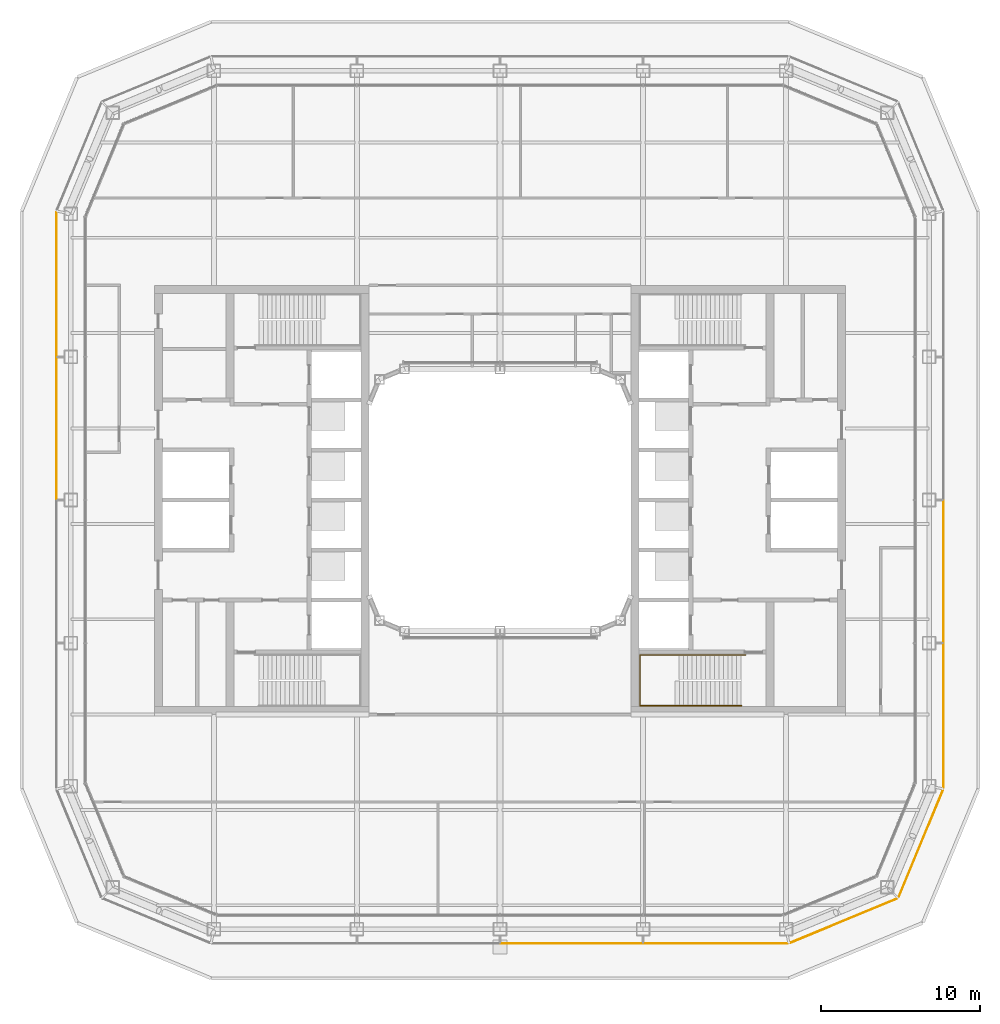
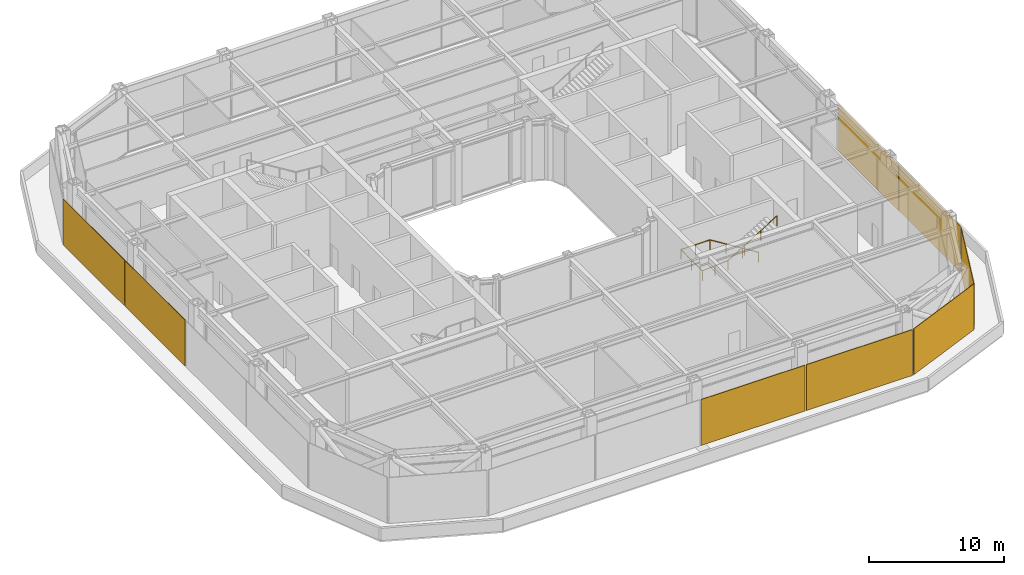
# One storey, part 16 of 19: 8 coverings, 1 railing.
"""IFC4 building model written with IfcOpenShell, lengths in metres."""

from ifc_helpers import new_model, si_unit, direction, frame, origin, origin_2d, place, context, subcontext, project, spatial, rectangle, circle, extrude, material, layer, layer_set, type_object, element, save


model = new_model("IFC4")

# Units and contexts
model_context = context("Model", 3, precision=1e-05, world=origin(), true_north=direction((0.0, 1.0)))
body_context = subcontext(model_context, "Body", "Model", "MODEL_VIEW")
ifc_project = project(units=[si_unit("LENGTHUNIT", "METRE"), si_unit("AREAUNIT", "SQUARE_METRE"), si_unit("VOLUMEUNIT", "CUBIC_METRE"), si_unit("PLANEANGLEUNIT", "RADIAN"), si_unit("MASSUNIT", "GRAM", prefix="KILO")], contexts=[model_context])

# Site, building, storey
site_placement = place(None, origin())
site = spatial("IfcSite", under=ifc_project, at=site_placement, CompositionType="ELEMENT")
building_placement = place(site_placement, origin())
building = spatial("IfcBuilding", under=site, at=building_placement, Name="Siwar Civic Tower", CompositionType="ELEMENT")
storey_placement = place(building_placement, frame((0.0, 0.0, 187.199951171875)))
storey = spatial("IfcBuildingStorey", under=building, at=storey_placement, Name="L40", CompositionType="ELEMENT", Elevation=187.199951171875)

# Railing
ifc_material_1 = material(Name="Stainless steel", Category="steel")
railing_type = type_object("IfcRailingType", Name="CORE-STAIR-HANDRAIL", PredefinedType="HANDRAIL", material=ifc_material_1)
railing_placement = place(storey_placement, frame((15.449951171875, -9.758056640625, 0.171875)))
element("IfcRailing", 1, at=railing_placement, inside=storey, type_object=railing_type, Name="Stair handrail ST4", PredefinedType="HANDRAIL", context=body_context, shape_type="SweptSolid", body=[
    extrude(circle(Radius=0.02001953125, at=origin_2d()), frame((0.0, 0.0, 0.8798828125), z_axis=(-0.849426996612, 0.0, 0.527706146854), x_axis=(0.0, -1.0, 0.0)), (0.0, 0.0, 1.0), 4.885498046875),
    extrude(circle(Radius=0.02001953125, at=origin_2d()), frame((-4.14990234375, 0.0, 3.4580078125), z_axis=(-1.0, 0.0, 0.0), x_axis=(0.0, -1.0, 0.0)), (0.0, 0.0, 1.0), 2.491943359375),
    extrude(circle(Radius=0.02001953125, at=origin_2d()), frame((-6.641845703125, 0.0, 3.4580078125), z_axis=(0.0, -1.0, 0.0), x_axis=(1.0, 0.0, 0.0)), (0.0, 0.0, 1.0), 3.183837890625),
    extrude(circle(Radius=0.02001953125, at=origin_2d()), frame((-6.641845703125, -3.183837890625, 3.4580078125), z_axis=(0.996939735461, 0.0, 0.078173933367), x_axis=(0.0, 1.0, 0.0)), (0.0, 0.0, 1.0), 2.19873046875),
    extrude(circle(Radius=0.02001953125, at=origin_2d()), frame((-4.449951171875, -3.183837890625, 3.6298828125), z_axis=(0.852242915053, 0.0, 0.523146264196), x_axis=(0.0, 1.0, 0.0)), (0.0, 0.0, 1.0), 4.92822265625),
    extrude(circle(Radius=0.02001953125, at=origin_2d()), origin(), (0.0, 0.0, 1.0), 0.85986328125),
    extrude(circle(Radius=0.02001953125, at=origin_2d()), frame((-1.38330078125, 0.0, 0.859375)), (0.0, 0.0, 1.0), 0.85986328125),
    extrude(circle(Radius=0.02001953125, at=origin_2d()), frame((-2.7666015625, 0.0, 1.71875)), (0.0, 0.0, 1.0), 0.85986328125),
    extrude(circle(Radius=0.02001953125, at=origin_2d()), frame((-4.14990234375, 0.0, 2.578125)), (0.0, 0.0, 1.0), 0.85986328125),
    extrude(circle(Radius=0.02001953125, at=origin_2d()), frame((-5.39599609375, 0.0, 2.578125)), (0.0, 0.0, 1.0), 0.85986328125),
    extrude(circle(Radius=0.02001953125, at=origin_2d()), frame((-6.641845703125, 0.0, 2.578125)), (0.0, 0.0, 1.0), 0.85986328125),
    extrude(circle(Radius=0.02001953125, at=origin_2d()), frame((-6.641845703125, -1.591796875, 2.578125)), (0.0, 0.0, 1.0), 0.85986328125),
    extrude(circle(Radius=0.02001953125, at=origin_2d()), frame((-6.641845703125, -3.183837890625, 2.578125)), (0.0, 0.0, 1.0), 0.85986328125),
    extrude(circle(Radius=0.02001953125, at=origin_2d()), frame((-5.5458984375, -3.183837890625, 2.6640625)), (0.0, 0.0, 1.0), 0.85986328125),
    extrude(circle(Radius=0.02001953125, at=origin_2d()), frame((-4.449951171875, -3.183837890625, 2.75)), (0.0, 0.0, 1.0), 0.85986328125),
    extrude(circle(Radius=0.02001953125, at=origin_2d()), frame((-3.050048828125, -3.183837890625, 3.609375)), (0.0, 0.0, 1.0), 0.85986328125),
    extrude(circle(Radius=0.02001953125, at=origin_2d()), frame((-1.64990234375, -3.183837890625, 4.46875)), (0.0, 0.0, 1.0), 0.85986328125),
    extrude(circle(Radius=0.02001953125, at=origin_2d()), frame((-0.25, -3.183837890625, 5.328125)), (0.0, 0.0, 1.0), 0.85986328125),
])

# Coverings
ifc_material_2 = material(Name="Perforated aluminium cassette, pale metal", Category="aluminium")
ifc_layer_1 = layer(ifc_material_2, 0.0400390625)
ifc_layer_set_1 = layer_set([ifc_layer_1], Name="Perforated aluminium cassette, pale metal")
covering_type_1 = type_object("IfcCoveringType", Name="ENV-OUTER SKIN OS-1", PredefinedType="CLADDING", material=ifc_layer_set_1)
covering_1_placement = place(storey_placement, frame((27.89990234375, -13.57958984375, 0.0), z_axis=(0.0, 0.0, 1.0), x_axis=(0.0, 1.0, 0.0)))
element("IfcCovering", 2, at=covering_1_placement, inside=storey, type_object=covering_type_1, Name="OUTER SKIN OS-1 E 1", PredefinedType="CLADDING", context=body_context, shape_type="SweptSolid", body=[
    extrude(rectangle(XDim=9.05908203125, YDim=0.0400390625, at=origin_2d()), origin(), (0.0, 0.0, 1.0), 4.14990234375),
])
covering_2_placement = place(storey_placement, frame((27.89990234375, -4.5, 0.0), z_axis=(0.0, 0.0, 1.0), x_axis=(0.0, 1.0, 0.0)))
element("IfcCovering", 3, at=covering_2_placement, inside=storey, type_object=covering_type_1, Name="OUTER SKIN OS-1 E 2", PredefinedType="CLADDING", context=body_context, shape_type="SweptSolid", body=[
    extrude(rectangle(XDim=8.89990234375, YDim=0.0400390625, at=origin_2d()), origin(), (0.0, 0.0, 1.0), 4.14990234375),
])
ifc_material_3 = material(Name="Perforated aluminium cassette, pale metal", Category="aluminium")
ifc_layer_2 = layer(ifc_material_3, 0.044921875)
ifc_layer_set_2 = layer_set([ifc_layer_2], Name="Perforated aluminium cassette, pale metal")
covering_type_2 = type_object("IfcCoveringType", Name="ENV-OUTER SKIN OS-2", PredefinedType="CLADDING", material=ifc_layer_set_2)
covering_3_placement = place(storey_placement, frame((26.476318359375, -21.615966796875, 0.0), z_axis=(0.0, 0.0, 1.0), x_axis=(0.382683432365, 0.923879532511, 0.0)))
element("IfcCovering", 4, at=covering_3_placement, inside=storey, type_object=covering_type_2, Name="OUTER SKIN OS-2 SE2 1", PredefinedType="CLADDING", context=body_context, shape_type="SweptSolid", body=[
    extrude(rectangle(XDim=7.300048828125, YDim=0.044921875, at=origin_2d()), origin(), (0.0, 0.0, 1.0), 4.14990234375),
])
ifc_material_4 = material(Name="Perforated aluminium cassette, pale metal", Category="aluminium")
ifc_layer_3 = layer(ifc_material_4, 0.050048828125)
ifc_layer_set_3 = layer_set([ifc_layer_3], Name="Perforated aluminium cassette, pale metal")
covering_type_3 = type_object("IfcCoveringType", Name="ENV-OUTER SKIN OS-3", PredefinedType="CLADDING", material=ifc_layer_set_3)
covering_4_placement = place(storey_placement, frame((21.615966796875, -26.476318359375, 0.0), z_axis=(0.0, 0.0, 1.0), x_axis=(0.923879532511, 0.382683432365, 0.0)))
element("IfcCovering", 5, at=covering_4_placement, inside=storey, type_object=covering_type_3, Name="OUTER SKIN OS-3 SE1 1", PredefinedType="CLADDING", context=body_context, shape_type="SweptSolid", body=[
    extrude(rectangle(XDim=7.300048828125, YDim=0.050048828125, at=origin_2d()), origin(), (0.0, 0.0, 1.0), 4.14990234375),
])
covering_5_placement = place(storey_placement, frame((-27.89990234375, 13.57958984375, 0.0), z_axis=(0.0, 0.0, 1.0), x_axis=(0.0, -1.0, 0.0)))
element("IfcCovering", 6, at=covering_5_placement, inside=storey, type_object=covering_type_3, Name="OUTER SKIN OS-3 W 1", PredefinedType="CLADDING", context=body_context, shape_type="SweptSolid", body=[
    extrude(rectangle(XDim=9.05908203125, YDim=0.050048828125, at=origin_2d()), origin(), (0.0, 0.0, 1.0), 4.14990234375),
])
covering_6_placement = place(storey_placement, frame((-27.89990234375, 4.5, 0.0), z_axis=(0.0, 0.0, 1.0), x_axis=(0.0, -1.0, 0.0)))
element("IfcCovering", 7, at=covering_6_placement, inside=storey, type_object=covering_type_3, Name="OUTER SKIN OS-3 W 2", PredefinedType="CLADDING", context=body_context, shape_type="SweptSolid", body=[
    extrude(rectangle(XDim=8.89990234375, YDim=0.050048828125, at=origin_2d()), origin(), (0.0, 0.0, 1.0), 4.14990234375),
])
ifc_material_5 = material(Name="Perforated aluminium cassette, pale metal", Category="aluminium")
ifc_layer_4 = layer(ifc_material_5, 0.054931640625)
ifc_layer_set_4 = layer_set([ifc_layer_4], Name="Perforated aluminium cassette, pale metal")
covering_type_4 = type_object("IfcCoveringType", Name="ENV-OUTER SKIN OS-4", PredefinedType="CLADDING", material=ifc_layer_set_4)
covering_7_placement = place(storey_placement, frame((4.5, -27.89990234375, 0.0), z_axis=(0.0, 0.0, 1.0), x_axis=(1.0, 0.0, 0.0)))
element("IfcCovering", 8, at=covering_7_placement, inside=storey, type_object=covering_type_4, Name="OUTER SKIN OS-4 S 3", PredefinedType="CLADDING", context=body_context, shape_type="SweptSolid", body=[
    extrude(rectangle(XDim=8.89990234375, YDim=0.054931640625, at=origin_2d()), origin(), (0.0, 0.0, 1.0), 4.14990234375),
])
covering_8_placement = place(storey_placement, frame((13.57958984375, -27.89990234375, 0.0), z_axis=(0.0, 0.0, 1.0), x_axis=(1.0, 0.0, 0.0)))
element("IfcCovering", 9, at=covering_8_placement, inside=storey, type_object=covering_type_4, Name="OUTER SKIN OS-4 S 4", PredefinedType="CLADDING", context=body_context, shape_type="SweptSolid", body=[
    extrude(rectangle(XDim=9.05908203125, YDim=0.054931640625, at=origin_2d()), origin(), (0.0, 0.0, 1.0), 4.14990234375),
])

save(model, "model.ifc")
